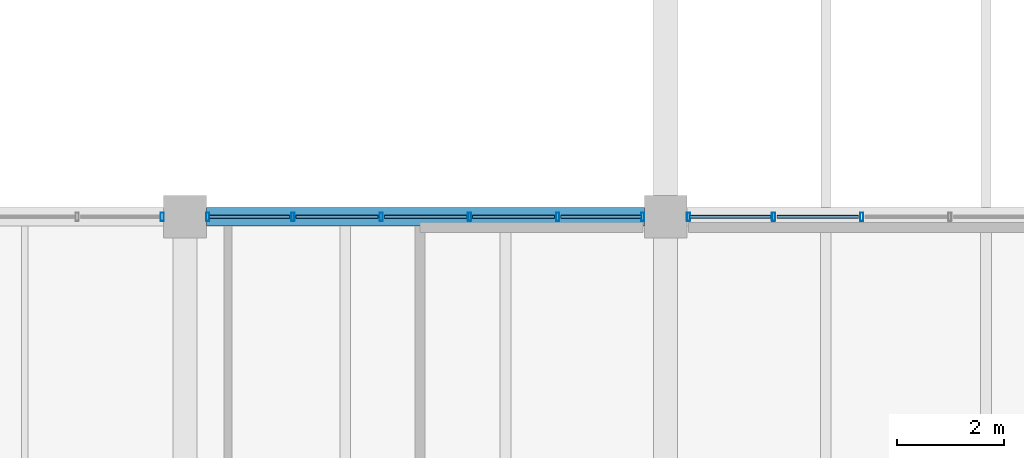
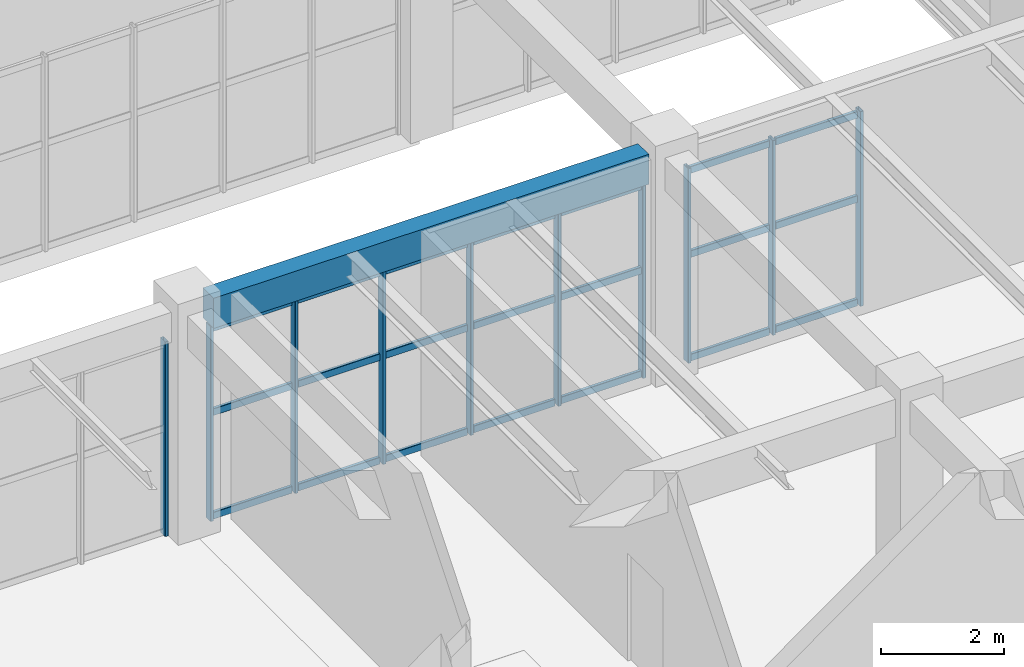
# One storey, part 21 of 178: 31 members, 1 beam, 3 elements without a shape of their own.
"""IFC4 building model written with IfcOpenShell, lengths in metres."""

import ifcopenshell
import ifcopenshell.guid

model = None  # the IFC model being written
_history = None  # IfcOwnerHistory: only IFC2X3 demands one
_inside = {}  # id of a spatial element -> (the spatial element, [elements in it])
_under = {}  # id of a project, library or spatial element -> (it, [spatial elements below it])
_declared = {}  # id of a project -> (the project, [libraries it declares])
_typed = {}  # id of a type object -> (the type object, [elements of that type])
_made_of = {}  # id of a material, layer set ... -> (it, [elements and type objects made of it])


def new_model(schema):
    """Start an empty IFC model of exactly this schema.

    Asked for "IFC4X3", IfcOpenShell would pick the latest addendum, in which some entities
    have other attributes; the version numbers below select the first issue.
    IFC2X3 requires an IfcOwnerHistory on every rooted entity: one is made here for all.
    """
    global model, _history
    if schema == "IFC4X3":
        model = ifcopenshell.file(schema_version=(4, 3, 0, 0))
    else:
        model = ifcopenshell.file(schema=schema)
    _inside.clear()
    _under.clear()
    _declared.clear()
    _typed.clear()
    _made_of.clear()
    _history = None
    if model.schema == "IFC2X3":
        org = make("IfcOrganization", Name="unknown")
        user = make(
            "IfcPersonAndOrganization",
            ThePerson=make("IfcPerson", FamilyName="unknown"),
            TheOrganization=org,
        )
        app = make(
            "IfcApplication",
            ApplicationDeveloper=org,
            Version="unknown",
            ApplicationFullName="unknown",
            ApplicationIdentifier="unknown",
        )
        _history = make(
            "IfcOwnerHistory",
            OwningUser=user,
            OwningApplication=app,
            ChangeAction="ADDED",
            CreationDate=0,
        )
    return model


def make(cls, **values):
    """One entity of the class cls with the attributes given. An attribute that is None is left unset."""
    return model.create_entity(
        cls, **{name: value for name, value in values.items() if value is not None}
    )


def rooted(cls, **values):
    """An entity with a GlobalId (a new one), such as an element, a storey or a relation."""
    return make(cls, GlobalId=ifcopenshell.guid.new(), OwnerHistory=_history, **values)


def si_unit(unit_type, name, prefix=None):
    """IfcSIUnit, for example si_unit("LENGTHUNIT", "METRE", prefix="MILLI")."""
    return make("IfcSIUnit", UnitType=unit_type, Prefix=prefix, Name=name)


def derived_unit(unit_type, elements):
    """IfcDerivedUnit: a product of units, each with its exponent."""
    return make(
        "IfcDerivedUnit",
        Elements=[
            make("IfcDerivedUnitElement", Unit=unit, Exponent=power)
            for unit, power in elements
        ],
        UnitType=unit_type,
    )


def assignment(units):
    """IfcUnitAssignment: the units of a project."""
    return None if units is None else make("IfcUnitAssignment", Units=units)


def point(xyz):
    """IfcCartesianPoint."""
    return None if xyz is None else make("IfcCartesianPoint", Coordinates=xyz)


def direction(xyz):
    """IfcDirection."""
    return None if xyz is None else make("IfcDirection", DirectionRatios=xyz)


def frame(location, z_axis=None, x_axis=None):
    """IfcAxis2Placement3D, a coordinate frame: its origin and axes. An axis left out is left unset."""
    return make(
        "IfcAxis2Placement3D",
        Location=point(location),
        Axis=direction(z_axis),
        RefDirection=direction(x_axis),
    )


def frame_2d(location, x_axis=None):
    """IfcAxis2Placement2D, a coordinate frame in the plane: its origin and x axis."""
    return make(
        "IfcAxis2Placement2D", Location=point(location), RefDirection=direction(x_axis)
    )


def origin():
    """The frame at (0, 0, 0) with its axes left unset."""
    return frame((0.0, 0.0, 0.0))


def origin_2d():
    """The frame at (0, 0) in the plane with its x axis left unset."""
    return frame_2d((0.0, 0.0))


def place(relative_to, where):
    """IfcLocalPlacement: puts the frame where relative to a parent placement (None: the world)."""
    return make(
        "IfcLocalPlacement", PlacementRelTo=relative_to, RelativePlacement=where
    )


def context(
    kind, dimensions, precision=None, world=None, true_north=None, identifier=None
):
    """IfcGeometricRepresentationContext, for example the 3D "Model" context."""
    return make(
        "IfcGeometricRepresentationContext",
        ContextIdentifier=identifier,
        ContextType=kind,
        CoordinateSpaceDimension=dimensions,
        Precision=precision,
        WorldCoordinateSystem=world,
        TrueNorth=true_north,
    )


def subcontext(parent, identifier, kind, view, scale=None):
    """IfcGeometricRepresentationSubContext, for example "Body" below "Model"."""
    return make(
        "IfcGeometricRepresentationSubContext",
        ContextIdentifier=identifier,
        ContextType=kind,
        ParentContext=parent,
        TargetScale=scale,
        TargetView=view,
    )


def project(units=None, contexts=None):
    """IfcProject with its units and contexts."""
    return rooted(
        "IfcProject",
        Name="project",
        RepresentationContexts=contexts,
        UnitsInContext=assignment(units),
    )


def spatial(cls, under=None, at=None, **own):
    """A site, building, storey or space (cls), placed at a placement, below another one or the project."""
    s = rooted(cls, ObjectPlacement=at, **own)
    if under is not None:
        _under.setdefault(under.id(), (under, []))[1].append(s)
    return s


def profile(cls, at=None, kind="AREA", **sizes):
    """A parametric profile (cls). Its sizes go by their IFC names, for example OverallWidth=200.0."""
    return make(cls, ProfileType=kind, Position=at, **sizes)


def rectangle(**sizes):
    """IfcRectangleProfileDef."""
    return profile("IfcRectangleProfileDef", **sizes)


def hollow_rectangle(**sizes):
    """IfcRectangleHollowProfileDef."""
    return profile("IfcRectangleHollowProfileDef", **sizes)


def extrude(swept, where, along, depth):
    """IfcExtrudedAreaSolid: the profile swept, set in the frame where, extruded along a direction by depth."""
    return make(
        "IfcExtrudedAreaSolid",
        SweptArea=swept,
        Position=where,
        ExtrudedDirection=direction(along),
        Depth=depth,
    )


def shape(context_of_items, identifier, shape_type, items):
    """IfcShapeRepresentation: the items that make up one representation, for example the "Body"."""
    return make(
        "IfcShapeRepresentation",
        ContextOfItems=context_of_items,
        RepresentationIdentifier=identifier,
        RepresentationType=shape_type,
        Items=items,
    )


def material(Name=None, Category=None):
    """IfcMaterial."""
    return make("IfcMaterial", Name=Name, Category=Category)


def material_profile(
    of_material, cross_section, Name=None, Category=None, Priority=None
):
    """IfcMaterialProfile: a cross section and its material."""
    return make(
        "IfcMaterialProfile",
        Name=Name,
        Material=of_material,
        Profile=cross_section,
        Priority=Priority,
        Category=Category,
    )


def profile_set(profiles, Name=None, composite=None):
    """IfcMaterialProfileSet."""
    return make(
        "IfcMaterialProfileSet",
        Name=Name,
        MaterialProfiles=profiles,
        CompositeProfile=composite,
    )


def made_of(thing, what):
    """Note that an element or type object is made of a material, layer set ...; save() writes the relation."""
    if what is not None:
        _made_of.setdefault(what.id(), (what, []))[1].append(thing)
    return thing


def type_object(cls, material=None, **own):
    """A type object (cls), such as IfcWallType, which elements share."""
    return made_of(rooted(cls, **own), material)


def element(
    cls,
    number,
    at=None,
    inside=None,
    cuts=None,
    type_object=None,
    material=None,
    context=None,
    identifier="Body",
    shape_type=None,
    held_by="IfcProductDefinitionShape",
    body=None,
    shapes=None,
    **own,
):
    """One element of the class cls, such as IfcWall. Its Tag is "e" and its number.

    at: its placement. inside: the storey or other place that contains it. cuts: it is an
    opening in that element (IfcRelVoidsElement). A single representation is given by context,
    identifier, shape_type and body (its items); several are given by shapes. held_by: the class
    of the entity that holds the representations. save() writes the other relations.
    """
    e = rooted(cls, Tag="e%d" % number, ObjectPlacement=at, **own)
    if body is not None:
        shapes = [shape(context, identifier, shape_type, body)]
    if shapes is not None:
        e.Representation = make(held_by, Representations=shapes)
    if inside is not None:
        _inside.setdefault(inside.id(), (inside, []))[1].append(e)
    if cuts is not None:
        rooted(
            "IfcRelVoidsElement", RelatingBuildingElement=cuts, RelatedOpeningElement=e
        )
    if type_object is not None:
        _typed.setdefault(type_object.id(), (type_object, []))[1].append(e)
    return made_of(e, material)


def aggregate(whole, parts):
    """IfcRelAggregates: a whole, such as a stair, and the parts it consists of."""
    return rooted("IfcRelAggregates", RelatingObject=whole, RelatedObjects=parts)


def save(model, path):
    """Write the relations noted so far, then the file.

    IfcRelAggregates (storeys below a building ...), IfcRelContainedInSpatialStructure (elements
    in a storey), IfcRelDefinesByType, IfcRelAssociatesMaterial and IfcRelDeclares: one each for
    every whole, place, type object, material and project.
    """
    for whole, parts in _under.values():
        aggregate(whole, parts)
    for where, things in _inside.values():
        rooted(
            "IfcRelContainedInSpatialStructure",
            RelatedElements=things,
            RelatingStructure=where,
        )
    for kind, things in _typed.values():
        rooted("IfcRelDefinesByType", RelatedObjects=things, RelatingType=kind)
    for what, things in _made_of.values():
        rooted("IfcRelAssociatesMaterial", RelatedObjects=things, RelatingMaterial=what)
    for by, libraries in _declared.values():
        rooted("IfcRelDeclares", RelatingContext=by, RelatedDefinitions=libraries)
    model.write(path)


model = new_model("IFC4")

# Units and contexts
model_context = context("Model", 3, precision=1e-05, world=origin(), true_north=direction((0.0, 1.0)))
body_context = subcontext(model_context, "Body", "Model", "MODEL_VIEW")
ifc_project = project(units=[si_unit("LENGTHUNIT", "METRE"), si_unit("AREAUNIT", "SQUARE_METRE"), si_unit("VOLUMEUNIT", "CUBIC_METRE"), si_unit("PLANEANGLEUNIT", "RADIAN"), si_unit("MASSUNIT", "GRAM", prefix="KILO"), derived_unit("THERMALTRANSMITTANCEUNIT", [(si_unit("MASSUNIT", "GRAM", prefix="KILO"), 1), (si_unit("TIMEUNIT", "SECOND"), -3), (si_unit("THERMODYNAMICTEMPERATUREUNIT", "KELVIN"), -1)])], contexts=[model_context])

# Site, building, storey
site_placement = place(None, origin())
site = spatial("IfcSite", under=ifc_project, at=site_placement, CompositionType="ELEMENT")
building_placement = place(site_placement, origin())
building = spatial("IfcBuilding", under=site, at=building_placement, Name="Zhenchuan Archway Interchange", CompositionType="ELEMENT")
storey_placement = place(building_placement, frame((0.0, 0.0, 5.39990234375)))
storey = spatial("IfcBuildingStorey", under=building, at=storey_placement, Name="L01", CompositionType="ELEMENT", Elevation=5.39990234375)

# Curtain wall, member
ifc_material_1 = material(Name="Anodised Aluminium", Category="aluminium")
curtain_wall_type_1 = type_object("IfcCurtainWallType", Name="CW_UNIT_3", PredefinedType="NOTDEFINED", material=ifc_material_1)
curtain_wall_1_placement = place(storey_placement, origin())
curtain_wall_1 = element("IfcCurtainWall", 1, at=curtain_wall_1_placement, inside=storey, type_object=curtain_wall_type_1, Name="Unitised curtain wall CW:L01:090", PredefinedType="NOTDEFINED")
ifc_material_profile_1 = material_profile(ifc_material_1, hollow_rectangle(XDim=0.06005859375, YDim=0.159912109375, WallThickness=0.00390625, InnerFilletRadius=0.00390625, OuterFilletRadius=0.008056640625, at=origin_2d()), Name="ALU 160x60x4")
ifc_profile_set_1 = profile_set([ifc_material_profile_1], Name="Anodised Aluminium")
member_type_1 = type_object("IfcMemberType", Name="CW_MUL_150", PredefinedType="MULLION", material=ifc_profile_set_1)
member_1_placement = place(storey_placement, frame((17.572021484375, 16.0, 0.0), z_axis=(0.0, 0.0, 1.0), x_axis=(1.0, 0.0, 0.0)))
member_1 = element("IfcMember", 2, at=member_1_placement, type_object=member_type_1, Name="CW:L01:090 mullion 5", PredefinedType="MULLION", context=body_context, shape_type="SweptSolid", body=[
    extrude(hollow_rectangle(XDim=0.06005859375, YDim=0.159912109375, WallThickness=0.00390625, InnerFilletRadius=0.00390625, OuterFilletRadius=0.008056640625, at=origin_2d()), origin(), (0.0, 0.0, 1.0), 3.880126953125),
])
aggregate(curtain_wall_1, [member_1])

# Curtain wall, members
curtain_wall_type_2 = type_object("IfcCurtainWallType", Name="CW_UNIT_4", PredefinedType="NOTDEFINED", material=ifc_material_1)
curtain_wall_2_placement = place(storey_placement, origin())
curtain_wall_2 = element("IfcCurtainWall", 3, at=curtain_wall_2_placement, inside=storey, type_object=curtain_wall_type_2, Name="Unitised curtain wall CW:L01:091", PredefinedType="NOTDEFINED")
member_2_placement = place(storey_placement, frame((18.427978515625, 16.0, 0.0), z_axis=(0.0, 0.0, 1.0), x_axis=(1.0, 0.0, 0.0)))
member_2 = element("IfcMember", 4, at=member_2_placement, type_object=member_type_1, Name="CW:L01:091 mullion 0", PredefinedType="MULLION", context=body_context, shape_type="SweptSolid", body=[
    extrude(hollow_rectangle(XDim=0.06005859375, YDim=0.159912109375, WallThickness=0.00390625, InnerFilletRadius=0.00390625, OuterFilletRadius=0.008056640625, at=origin_2d()), origin(), (0.0, 0.0, 1.0), 3.880126953125),
])
member_3_placement = place(storey_placement, frame((20.020751953125, 16.0, 0.0), z_axis=(0.0, 0.0, 1.0), x_axis=(1.0, 0.0, 0.0)))
member_3 = element("IfcMember", 5, at=member_3_placement, type_object=member_type_1, Name="CW:L01:091 mullion 1", PredefinedType="MULLION", context=body_context, shape_type="SweptSolid", body=[
    extrude(hollow_rectangle(XDim=0.06005859375, YDim=0.159912109375, WallThickness=0.00390625, InnerFilletRadius=0.00390625, OuterFilletRadius=0.008056640625, at=origin_2d()), origin(), (0.0, 0.0, 1.0), 3.880126953125),
])
member_4_placement = place(storey_placement, frame((21.673583984375, 16.0, 0.0), z_axis=(0.0, 0.0, 1.0), x_axis=(1.0, 0.0, 0.0)))
member_4 = element("IfcMember", 6, at=member_4_placement, type_object=member_type_1, Name="CW:L01:091 mullion 2", PredefinedType="MULLION", context=body_context, shape_type="SweptSolid", body=[
    extrude(hollow_rectangle(XDim=0.06005859375, YDim=0.159912109375, WallThickness=0.00390625, InnerFilletRadius=0.00390625, OuterFilletRadius=0.008056640625, at=origin_2d()), origin(), (0.0, 0.0, 1.0), 3.880126953125),
])
member_5_placement = place(storey_placement, frame((23.326416015625, 16.0, 0.0), z_axis=(0.0, 0.0, 1.0), x_axis=(1.0, 0.0, 0.0)))
member_5 = element("IfcMember", 7, at=member_5_placement, type_object=member_type_1, Name="CW:L01:091 mullion 3", PredefinedType="MULLION", context=body_context, shape_type="SweptSolid", body=[
    extrude(hollow_rectangle(XDim=0.06005859375, YDim=0.159912109375, WallThickness=0.00390625, InnerFilletRadius=0.00390625, OuterFilletRadius=0.008056640625, at=origin_2d()), origin(), (0.0, 0.0, 1.0), 3.880126953125),
])
member_6_placement = place(storey_placement, frame((24.979248046875, 16.0, 0.0), z_axis=(0.0, 0.0, 1.0), x_axis=(1.0, 0.0, 0.0)))
member_6 = element("IfcMember", 8, at=member_6_placement, type_object=member_type_1, Name="CW:L01:091 mullion 4", PredefinedType="MULLION", context=body_context, shape_type="SweptSolid", body=[
    extrude(hollow_rectangle(XDim=0.06005859375, YDim=0.159912109375, WallThickness=0.00390625, InnerFilletRadius=0.00390625, OuterFilletRadius=0.008056640625, at=origin_2d()), origin(), (0.0, 0.0, 1.0), 3.880126953125),
])
member_7_placement = place(storey_placement, frame((26.572021484375, 16.0, 0.0), z_axis=(0.0, 0.0, 1.0), x_axis=(1.0, 0.0, 0.0)))
member_7 = element("IfcMember", 9, at=member_7_placement, type_object=member_type_1, Name="CW:L01:091 mullion 5", PredefinedType="MULLION", context=body_context, shape_type="SweptSolid", body=[
    extrude(hollow_rectangle(XDim=0.06005859375, YDim=0.159912109375, WallThickness=0.00390625, InnerFilletRadius=0.00390625, OuterFilletRadius=0.008056640625, at=origin_2d()), origin(), (0.0, 0.0, 1.0), 3.880126953125),
])

curtain_wall_type_3 = type_object("IfcCurtainWallType", Name="CW_UNIT_1", PredefinedType="NOTDEFINED", material=ifc_material_1)
curtain_wall_3_placement = place(storey_placement, origin())
curtain_wall_3 = element("IfcCurtainWall", 10, at=curtain_wall_3_placement, inside=storey, type_object=curtain_wall_type_3, Name="Unitised curtain wall CW:L01:092", PredefinedType="NOTDEFINED")
member_8_placement = place(storey_placement, frame((27.427978515625, 16.0, 0.0), z_axis=(0.0, 0.0, 1.0), x_axis=(1.0, 0.0, 0.0)))
member_8 = element("IfcMember", 11, at=member_8_placement, type_object=member_type_1, Name="CW:L01:092 mullion 0", PredefinedType="MULLION", context=body_context, shape_type="SweptSolid", body=[
    extrude(hollow_rectangle(XDim=0.06005859375, YDim=0.159912109375, WallThickness=0.00390625, InnerFilletRadius=0.00390625, OuterFilletRadius=0.008056640625, at=origin_2d()), origin(), (0.0, 0.0, 1.0), 3.880126953125),
])
member_9_placement = place(storey_placement, frame((29.020751953125, 16.0, 0.0), z_axis=(0.0, 0.0, 1.0), x_axis=(1.0, 0.0, 0.0)))
member_9 = element("IfcMember", 12, at=member_9_placement, type_object=member_type_1, Name="CW:L01:092 mullion 1", PredefinedType="MULLION", context=body_context, shape_type="SweptSolid", body=[
    extrude(hollow_rectangle(XDim=0.06005859375, YDim=0.159912109375, WallThickness=0.00390625, InnerFilletRadius=0.00390625, OuterFilletRadius=0.008056640625, at=origin_2d()), origin(), (0.0, 0.0, 1.0), 3.880126953125),
])
member_10_placement = place(storey_placement, frame((30.673583984375, 16.0, 0.0), z_axis=(0.0, 0.0, 1.0), x_axis=(1.0, 0.0, 0.0)))
member_10 = element("IfcMember", 13, at=member_10_placement, type_object=member_type_1, Name="CW:L01:092 mullion 2", PredefinedType="MULLION", context=body_context, shape_type="SweptSolid", body=[
    extrude(hollow_rectangle(XDim=0.06005859375, YDim=0.159912109375, WallThickness=0.00390625, InnerFilletRadius=0.00390625, OuterFilletRadius=0.008056640625, at=origin_2d()), origin(), (0.0, 0.0, 1.0), 3.880126953125),
])

# Member
ifc_material_profile_2 = material_profile(ifc_material_1, hollow_rectangle(XDim=0.06005859375, YDim=0.139892578125, WallThickness=0.00341796875, InnerFilletRadius=0.00341796875, OuterFilletRadius=0.007080078125, at=origin_2d()), Name="ALU 140x60x3.5")
ifc_profile_set_2 = profile_set([ifc_material_profile_2], Name="Anodised Aluminium")
member_type_2 = type_object("IfcMemberType", Name="CW_TRN_140", PredefinedType="USERDEFINED", material=ifc_profile_set_2)
member_11_placement = place(storey_placement, frame((18.447998046875, 16.0, 0.06005859375), z_axis=(1.0, 0.0, 0.0), x_axis=(0.0, 1.0, 0.0)))
member_11 = element("IfcMember", 14, at=member_11_placement, type_object=member_type_2, Name="CW:L01:091 transom 0-1", ObjectType="TRANSOM", PredefinedType="USERDEFINED", context=body_context, shape_type="SweptSolid", body=[
    extrude(hollow_rectangle(XDim=0.06005859375, YDim=0.139892578125, WallThickness=0.00341796875, InnerFilletRadius=0.00341796875, OuterFilletRadius=0.007080078125, at=origin_2d()), origin(), (0.0, 0.0, 1.0), 1.5126953125),
])

member_12_placement = place(storey_placement, frame((18.447998046875, 16.0, 2.123046875), z_axis=(1.0, 0.0, 0.0), x_axis=(0.0, 1.0, 0.0)))
member_12 = element("IfcMember", 15, at=member_12_placement, type_object=member_type_2, Name="CW:L01:091 transom 0-2", ObjectType="TRANSOM", PredefinedType="USERDEFINED", context=body_context, shape_type="SweptSolid", body=[
    extrude(hollow_rectangle(XDim=0.06005859375, YDim=0.139892578125, WallThickness=0.00341796875, InnerFilletRadius=0.00341796875, OuterFilletRadius=0.007080078125, at=origin_2d()), origin(), (0.0, 0.0, 1.0), 1.5126953125),
])

member_13_placement = place(storey_placement, frame((18.447998046875, 16.0, 3.800048828125), z_axis=(1.0, 0.0, 0.0), x_axis=(0.0, 1.0, 0.0)))
member_13 = element("IfcMember", 16, at=member_13_placement, type_object=member_type_2, Name="CW:L01:091 transom 0-3", ObjectType="TRANSOM", PredefinedType="USERDEFINED", context=body_context, shape_type="SweptSolid", body=[
    extrude(hollow_rectangle(XDim=0.06005859375, YDim=0.139892578125, WallThickness=0.00341796875, InnerFilletRadius=0.00341796875, OuterFilletRadius=0.007080078125, at=origin_2d()), origin(), (0.0, 0.0, 1.0), 1.5126953125),
])

member_14_placement = place(storey_placement, frame((20.080810546875, 16.0, 0.06005859375), z_axis=(1.0, 0.0, 0.0), x_axis=(0.0, 1.0, 0.0)))
member_14 = element("IfcMember", 17, at=member_14_placement, type_object=member_type_2, Name="CW:L01:091 transom 1-1", ObjectType="TRANSOM", PredefinedType="USERDEFINED", context=body_context, shape_type="SweptSolid", body=[
    extrude(hollow_rectangle(XDim=0.06005859375, YDim=0.139892578125, WallThickness=0.00341796875, InnerFilletRadius=0.00341796875, OuterFilletRadius=0.007080078125, at=origin_2d()), origin(), (0.0, 0.0, 1.0), 1.53271484375),
])

member_15_placement = place(storey_placement, frame((20.080810546875, 16.0, 2.123046875), z_axis=(1.0, 0.0, 0.0), x_axis=(0.0, 1.0, 0.0)))
member_15 = element("IfcMember", 18, at=member_15_placement, type_object=member_type_2, Name="CW:L01:091 transom 1-2", ObjectType="TRANSOM", PredefinedType="USERDEFINED", context=body_context, shape_type="SweptSolid", body=[
    extrude(hollow_rectangle(XDim=0.06005859375, YDim=0.139892578125, WallThickness=0.00341796875, InnerFilletRadius=0.00341796875, OuterFilletRadius=0.007080078125, at=origin_2d()), origin(), (0.0, 0.0, 1.0), 1.53271484375),
])

member_16_placement = place(storey_placement, frame((20.080810546875, 16.0, 3.800048828125), z_axis=(1.0, 0.0, 0.0), x_axis=(0.0, 1.0, 0.0)))
member_16 = element("IfcMember", 19, at=member_16_placement, type_object=member_type_2, Name="CW:L01:091 transom 1-3", ObjectType="TRANSOM", PredefinedType="USERDEFINED", context=body_context, shape_type="SweptSolid", body=[
    extrude(hollow_rectangle(XDim=0.06005859375, YDim=0.139892578125, WallThickness=0.00341796875, InnerFilletRadius=0.00341796875, OuterFilletRadius=0.007080078125, at=origin_2d()), origin(), (0.0, 0.0, 1.0), 1.53271484375),
])

member_17_placement = place(storey_placement, frame((21.733642578125, 16.0, 0.06005859375), z_axis=(1.0, 0.0, 0.0), x_axis=(0.0, 1.0, 0.0)))
member_17 = element("IfcMember", 20, at=member_17_placement, type_object=member_type_2, Name="CW:L01:091 transom 2-1", ObjectType="TRANSOM", PredefinedType="USERDEFINED", context=body_context, shape_type="SweptSolid", body=[
    extrude(hollow_rectangle(XDim=0.06005859375, YDim=0.139892578125, WallThickness=0.00341796875, InnerFilletRadius=0.00341796875, OuterFilletRadius=0.007080078125, at=origin_2d()), origin(), (0.0, 0.0, 1.0), 1.53271484375),
])

member_18_placement = place(storey_placement, frame((21.733642578125, 16.0, 2.123046875), z_axis=(1.0, 0.0, 0.0), x_axis=(0.0, 1.0, 0.0)))
member_18 = element("IfcMember", 21, at=member_18_placement, type_object=member_type_2, Name="CW:L01:091 transom 2-2", ObjectType="TRANSOM", PredefinedType="USERDEFINED", context=body_context, shape_type="SweptSolid", body=[
    extrude(hollow_rectangle(XDim=0.06005859375, YDim=0.139892578125, WallThickness=0.00341796875, InnerFilletRadius=0.00341796875, OuterFilletRadius=0.007080078125, at=origin_2d()), origin(), (0.0, 0.0, 1.0), 1.53271484375),
])

member_19_placement = place(storey_placement, frame((21.733642578125, 16.0, 3.800048828125), z_axis=(1.0, 0.0, 0.0), x_axis=(0.0, 1.0, 0.0)))
member_19 = element("IfcMember", 22, at=member_19_placement, type_object=member_type_2, Name="CW:L01:091 transom 2-3", ObjectType="TRANSOM", PredefinedType="USERDEFINED", context=body_context, shape_type="SweptSolid", body=[
    extrude(hollow_rectangle(XDim=0.06005859375, YDim=0.139892578125, WallThickness=0.00341796875, InnerFilletRadius=0.00341796875, OuterFilletRadius=0.007080078125, at=origin_2d()), origin(), (0.0, 0.0, 1.0), 1.53271484375),
])

member_20_placement = place(storey_placement, frame((23.386474609375, 16.0, 0.06005859375), z_axis=(1.0, 0.0, 0.0), x_axis=(0.0, 1.0, 0.0)))
member_20 = element("IfcMember", 23, at=member_20_placement, type_object=member_type_2, Name="CW:L01:091 transom 3-1", ObjectType="TRANSOM", PredefinedType="USERDEFINED", context=body_context, shape_type="SweptSolid", body=[
    extrude(hollow_rectangle(XDim=0.06005859375, YDim=0.139892578125, WallThickness=0.00341796875, InnerFilletRadius=0.00341796875, OuterFilletRadius=0.007080078125, at=origin_2d()), origin(), (0.0, 0.0, 1.0), 1.53271484375),
])

member_21_placement = place(storey_placement, frame((23.386474609375, 16.0, 2.123046875), z_axis=(1.0, 0.0, 0.0), x_axis=(0.0, 1.0, 0.0)))
member_21 = element("IfcMember", 24, at=member_21_placement, type_object=member_type_2, Name="CW:L01:091 transom 3-2", ObjectType="TRANSOM", PredefinedType="USERDEFINED", context=body_context, shape_type="SweptSolid", body=[
    extrude(hollow_rectangle(XDim=0.06005859375, YDim=0.139892578125, WallThickness=0.00341796875, InnerFilletRadius=0.00341796875, OuterFilletRadius=0.007080078125, at=origin_2d()), origin(), (0.0, 0.0, 1.0), 1.53271484375),
])

member_22_placement = place(storey_placement, frame((23.386474609375, 16.0, 3.800048828125), z_axis=(1.0, 0.0, 0.0), x_axis=(0.0, 1.0, 0.0)))
member_22 = element("IfcMember", 25, at=member_22_placement, type_object=member_type_2, Name="CW:L01:091 transom 3-3", ObjectType="TRANSOM", PredefinedType="USERDEFINED", context=body_context, shape_type="SweptSolid", body=[
    extrude(hollow_rectangle(XDim=0.06005859375, YDim=0.139892578125, WallThickness=0.00341796875, InnerFilletRadius=0.00341796875, OuterFilletRadius=0.007080078125, at=origin_2d()), origin(), (0.0, 0.0, 1.0), 1.53271484375),
])

member_23_placement = place(storey_placement, frame((25.039306640625, 16.0, 0.06005859375), z_axis=(1.0, 0.0, 0.0), x_axis=(0.0, 1.0, 0.0)))
member_23 = element("IfcMember", 26, at=member_23_placement, type_object=member_type_2, Name="CW:L01:091 transom 4-1", ObjectType="TRANSOM", PredefinedType="USERDEFINED", context=body_context, shape_type="SweptSolid", body=[
    extrude(hollow_rectangle(XDim=0.06005859375, YDim=0.139892578125, WallThickness=0.00341796875, InnerFilletRadius=0.00341796875, OuterFilletRadius=0.007080078125, at=origin_2d()), origin(), (0.0, 0.0, 1.0), 1.5126953125),
])

member_24_placement = place(storey_placement, frame((25.039306640625, 16.0, 2.123046875), z_axis=(1.0, 0.0, 0.0), x_axis=(0.0, 1.0, 0.0)))
member_24 = element("IfcMember", 27, at=member_24_placement, type_object=member_type_2, Name="CW:L01:091 transom 4-2", ObjectType="TRANSOM", PredefinedType="USERDEFINED", context=body_context, shape_type="SweptSolid", body=[
    extrude(hollow_rectangle(XDim=0.06005859375, YDim=0.139892578125, WallThickness=0.00341796875, InnerFilletRadius=0.00341796875, OuterFilletRadius=0.007080078125, at=origin_2d()), origin(), (0.0, 0.0, 1.0), 1.5126953125),
])

member_25_placement = place(storey_placement, frame((25.039306640625, 16.0, 3.800048828125), z_axis=(1.0, 0.0, 0.0), x_axis=(0.0, 1.0, 0.0)))
member_25 = element("IfcMember", 28, at=member_25_placement, type_object=member_type_2, Name="CW:L01:091 transom 4-3", ObjectType="TRANSOM", PredefinedType="USERDEFINED", context=body_context, shape_type="SweptSolid", body=[
    extrude(hollow_rectangle(XDim=0.06005859375, YDim=0.139892578125, WallThickness=0.00341796875, InnerFilletRadius=0.00341796875, OuterFilletRadius=0.007080078125, at=origin_2d()), origin(), (0.0, 0.0, 1.0), 1.5126953125),
])

aggregate(curtain_wall_2, [member_2, member_3, member_4, member_5, member_6, member_7, member_11, member_12, member_13, member_14, member_15, member_16, member_17, member_18, member_19, member_20, member_21, member_22, member_23, member_24, member_25])

member_26_placement = place(storey_placement, frame((27.447998046875, 16.0, 0.06005859375), z_axis=(1.0, 0.0, 0.0), x_axis=(0.0, 1.0, 0.0)))
member_26 = element("IfcMember", 29, at=member_26_placement, type_object=member_type_2, Name="CW:L01:092 transom 0-1", ObjectType="TRANSOM", PredefinedType="USERDEFINED", context=body_context, shape_type="SweptSolid", body=[
    extrude(hollow_rectangle(XDim=0.06005859375, YDim=0.139892578125, WallThickness=0.00341796875, InnerFilletRadius=0.00341796875, OuterFilletRadius=0.007080078125, at=origin_2d()), origin(), (0.0, 0.0, 1.0), 1.5126953125),
])

member_27_placement = place(storey_placement, frame((27.447998046875, 16.0, 2.123046875), z_axis=(1.0, 0.0, 0.0), x_axis=(0.0, 1.0, 0.0)))
member_27 = element("IfcMember", 30, at=member_27_placement, type_object=member_type_2, Name="CW:L01:092 transom 0-2", ObjectType="TRANSOM", PredefinedType="USERDEFINED", context=body_context, shape_type="SweptSolid", body=[
    extrude(hollow_rectangle(XDim=0.06005859375, YDim=0.139892578125, WallThickness=0.00341796875, InnerFilletRadius=0.00341796875, OuterFilletRadius=0.007080078125, at=origin_2d()), origin(), (0.0, 0.0, 1.0), 1.5126953125),
])

member_28_placement = place(storey_placement, frame((27.447998046875, 16.0, 3.800048828125), z_axis=(1.0, 0.0, 0.0), x_axis=(0.0, 1.0, 0.0)))
member_28 = element("IfcMember", 31, at=member_28_placement, type_object=member_type_2, Name="CW:L01:092 transom 0-3", ObjectType="TRANSOM", PredefinedType="USERDEFINED", context=body_context, shape_type="SweptSolid", body=[
    extrude(hollow_rectangle(XDim=0.06005859375, YDim=0.139892578125, WallThickness=0.00341796875, InnerFilletRadius=0.00341796875, OuterFilletRadius=0.007080078125, at=origin_2d()), origin(), (0.0, 0.0, 1.0), 1.5126953125),
])

member_29_placement = place(storey_placement, frame((29.080810546875, 16.0, 0.06005859375), z_axis=(1.0, 0.0, 0.0), x_axis=(0.0, 1.0, 0.0)))
member_29 = element("IfcMember", 32, at=member_29_placement, type_object=member_type_2, Name="CW:L01:092 transom 1-1", ObjectType="TRANSOM", PredefinedType="USERDEFINED", context=body_context, shape_type="SweptSolid", body=[
    extrude(hollow_rectangle(XDim=0.06005859375, YDim=0.139892578125, WallThickness=0.00341796875, InnerFilletRadius=0.00341796875, OuterFilletRadius=0.007080078125, at=origin_2d()), origin(), (0.0, 0.0, 1.0), 1.53271484375),
])

member_30_placement = place(storey_placement, frame((29.080810546875, 16.0, 2.123046875), z_axis=(1.0, 0.0, 0.0), x_axis=(0.0, 1.0, 0.0)))
member_30 = element("IfcMember", 33, at=member_30_placement, type_object=member_type_2, Name="CW:L01:092 transom 1-2", ObjectType="TRANSOM", PredefinedType="USERDEFINED", context=body_context, shape_type="SweptSolid", body=[
    extrude(hollow_rectangle(XDim=0.06005859375, YDim=0.139892578125, WallThickness=0.00341796875, InnerFilletRadius=0.00341796875, OuterFilletRadius=0.007080078125, at=origin_2d()), origin(), (0.0, 0.0, 1.0), 1.53271484375),
])

member_31_placement = place(storey_placement, frame((29.080810546875, 16.0, 3.800048828125), z_axis=(1.0, 0.0, 0.0), x_axis=(0.0, 1.0, 0.0)))
member_31 = element("IfcMember", 34, at=member_31_placement, type_object=member_type_2, Name="CW:L01:092 transom 1-3", ObjectType="TRANSOM", PredefinedType="USERDEFINED", context=body_context, shape_type="SweptSolid", body=[
    extrude(hollow_rectangle(XDim=0.06005859375, YDim=0.139892578125, WallThickness=0.00341796875, InnerFilletRadius=0.00341796875, OuterFilletRadius=0.007080078125, at=origin_2d()), origin(), (0.0, 0.0, 1.0), 1.53271484375),
])

aggregate(curtain_wall_3, [member_8, member_9, member_10, member_26, member_27, member_28, member_29, member_30, member_31])

# Beam
ifc_material_2 = material(Name="Concrete C40", Category="concrete")
ifc_material_profile_3 = material_profile(ifc_material_2, rectangle(XDim=0.35009765625, YDim=0.60009765625, at=origin_2d()), Name="RC 350x600")
ifc_profile_set_3 = profile_set([ifc_material_profile_3], Name="Concrete C40")
beam_type = type_object("IfcBeamType", Name="SP_RC_350x600", PredefinedType="SPANDREL", material=ifc_profile_set_3)
beam_placement = place(storey_placement, frame((18.39990234375, 16.0, 4.210205078125), z_axis=(1.0, 0.0, 0.0), x_axis=(0.0, 1.0, 0.0)))
element("IfcBeam", 35, at=beam_placement, inside=storey, type_object=beam_type, Name="Beam C:3-4 (L01)", PredefinedType="SPANDREL", context=body_context, shape_type="SweptSolid", body=[
    extrude(rectangle(XDim=0.35009765625, YDim=0.60009765625, at=origin_2d()), origin(), (0.0, 0.0, 1.0), 8.2001953125),
])

save(model, "model.ifc")
